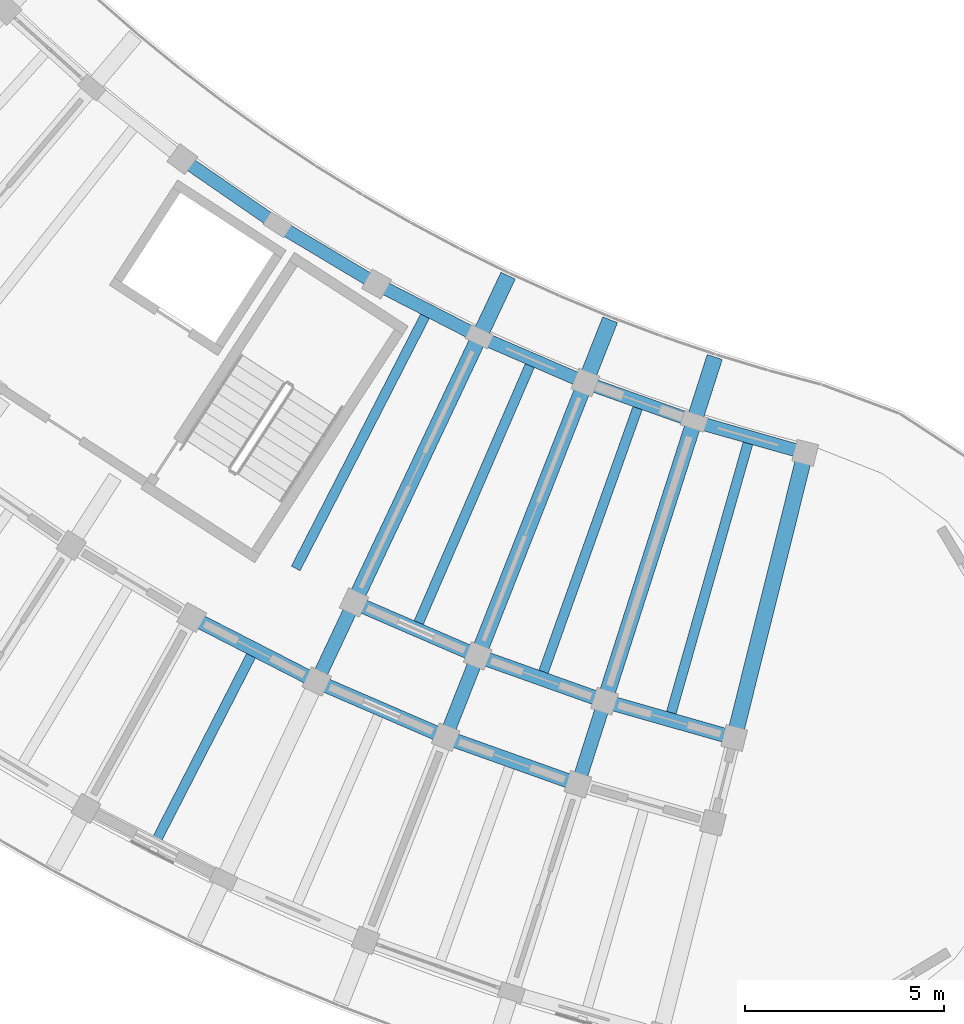
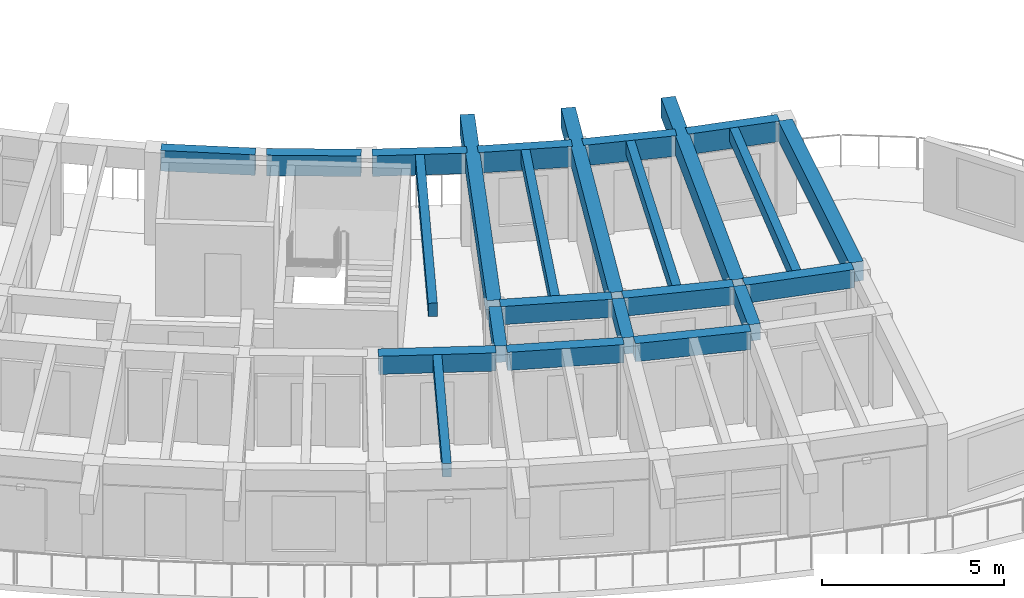
# One storey, part 6 of 81: 24 beams.
"""IFC4 building model written with IfcOpenShell, lengths in metres."""

from ifc_helpers import new_model, si_unit, direction, frame, origin, origin_2d, place, context, subcontext, project, spatial, rectangle, extrude, material, material_profile, profile_set, type_object, element, save


model = new_model("IFC4")

# Units and contexts
model_context = context("Model", 3, precision=1e-05, world=origin(), true_north=direction((0.0, 1.0)))
body_context = subcontext(model_context, "Body", "Model", "MODEL_VIEW")
ifc_project = project(units=[si_unit("LENGTHUNIT", "METRE"), si_unit("AREAUNIT", "SQUARE_METRE"), si_unit("VOLUMEUNIT", "CUBIC_METRE"), si_unit("PLANEANGLEUNIT", "RADIAN"), si_unit("MASSUNIT", "GRAM", prefix="KILO")], contexts=[model_context])

# Site, building, storey
site_placement = place(None, origin())
site = spatial("IfcSite", under=ifc_project, at=site_placement, CompositionType="ELEMENT")
building_placement = place(site_placement, origin())
building = spatial("IfcBuilding", under=site, at=building_placement, Name="Tanwirah Colonnade Gardens", CompositionType="ELEMENT")
storey_placement = place(building_placement, frame((0.0, 0.0, 18.919921875)))
storey = spatial("IfcBuildingStorey", under=building, at=storey_placement, Name="L05", CompositionType="ELEMENT", Elevation=18.919921875)

# Beams
ifc_material_1 = material(Name="Precast concrete C40/50", Category="concrete")
ifc_material_profile_1 = material_profile(ifc_material_1, rectangle(XDim=0.360107421875, YDim=0.610107421875, at=origin_2d()), Name="PC-BM 360x610")
ifc_profile_set_1 = profile_set([ifc_material_profile_1], Name="Precast concrete C40/50")
beam_type_1 = type_object("IfcBeamType", Name="BM-PC300", PredefinedType="BEAM", material=ifc_profile_set_1)
beam_1_placement = place(storey_placement, frame((38.929443359375, 17.158447265625, 2.80517578125), z_axis=(0.890025451153, -0.45591084249, 0.0), x_axis=(0.45591084249, 0.890025451153, 0.0)))
element("IfcBeam", 1, at=beam_1_placement, inside=storey, type_object=beam_type_1, Name="Block C L05 Circumferential Beam 12-R2", PredefinedType="BEAM", context=body_context, shape_type="SweptSolid", body=[
    extrude(rectangle(XDim=0.360107421875, YDim=0.610107421875, at=origin_2d()), origin(), (0.0, 0.0, 1.0), 3.237060546875),
])
beam_2_placement = place(storey_placement, frame((43.02001953125, 17.54443359375, 2.80517578125), z_axis=(0.917936292782, -0.396727819032, 0.0), x_axis=(0.396727819032, 0.917936292782, 0.0)))
element("IfcBeam", 2, at=beam_2_placement, inside=storey, type_object=beam_type_1, Name="Block C L05 Circumferential Beam 13-R1", PredefinedType="BEAM", context=body_context, shape_type="SweptSolid", body=[
    extrude(rectangle(XDim=0.360107421875, YDim=0.610107421875, at=origin_2d()), origin(), (0.0, 0.0, 1.0), 3.093017578125),
])
beam_3_placement = place(storey_placement, frame((42.08154296875, 15.5546875, 2.80517578125), z_axis=(0.917943156181, -0.396711938338, 0.0), x_axis=(0.396711938338, 0.917943156181, 0.0)))
element("IfcBeam", 3, at=beam_3_placement, inside=storey, type_object=beam_type_1, Name="Block C L05 Circumferential Beam 13-R2", PredefinedType="BEAM", context=body_context, shape_type="SweptSolid", body=[
    extrude(rectangle(XDim=0.360107421875, YDim=0.610107421875, at=origin_2d()), origin(), (0.0, 0.0, 1.0), 3.237060546875),
])
beam_4_placement = place(storey_placement, frame((46.13818359375, 16.20751953125, 2.80517578125), z_axis=(0.941911444877, -0.335861325564, 0.0), x_axis=(0.335861325564, 0.941911444877, 0.0)))
element("IfcBeam", 4, at=beam_4_placement, inside=storey, type_object=beam_type_1, Name="Block C L05 Circumferential Beam 14-R1", PredefinedType="BEAM", context=body_context, shape_type="SweptSolid", body=[
    extrude(rectangle(XDim=0.360107421875, YDim=0.610107421875, at=origin_2d()), origin(), (0.0, 0.0, 1.0), 3.093017578125),
])
beam_5_placement = place(storey_placement, frame((45.331787109375, 14.16064453125, 2.80517578125), z_axis=(0.941917534978, -0.335844245597, 0.0), x_axis=(0.335844245597, 0.941917534978, 0.0)))
element("IfcBeam", 5, at=beam_5_placement, inside=storey, type_object=beam_type_1, Name="Block C L05 Circumferential Beam 14-R2", PredefinedType="BEAM", context=body_context, shape_type="SweptSolid", body=[
    extrude(rectangle(XDim=0.360107421875, YDim=0.610107421875, at=origin_2d()), origin(), (0.0, 0.0, 1.0), 3.237060546875),
])
beam_6_placement = place(storey_placement, frame((49.337158203125, 15.0771484375, 2.80517578125), z_axis=(0.961865763464, -0.273521942585, 0.0), x_axis=(0.273521942585, 0.961865763464, 0.0)))
element("IfcBeam", 6, at=beam_6_placement, inside=storey, type_object=beam_type_1, Name="Block C L05 Circumferential Beam 15-R1", PredefinedType="BEAM", context=body_context, shape_type="SweptSolid", body=[
    extrude(rectangle(XDim=0.360107421875, YDim=0.610107421875, at=origin_2d()), origin(), (0.0, 0.0, 1.0), 3.0927734375),
])
ifc_material_profile_2 = material_profile(ifc_material_1, rectangle(XDim=0.35009765625, YDim=0.550048828125, at=origin_2d()), Name="PC-BM 350x550")
ifc_profile_set_2 = profile_set([ifc_material_profile_2], Name="Precast concrete C40/50")
beam_type_2 = type_object("IfcBeamType", Name="BM-PC350A", PredefinedType="BEAM", material=ifc_profile_set_2)
beam_7_placement = place(storey_placement, frame((42.818359375, 17.46826171875, 2.8349609375), z_axis=(-0.426483812015, -0.904495195172, 0.0), x_axis=(0.904495195172, -0.426483812015, 0.0)))
element("IfcBeam", 7, at=beam_7_placement, inside=storey, type_object=beam_type_2, Name="Block C L05 Corridor Tie Beam 13", PredefinedType="BEAM", context=body_context, shape_type="SweptSolid", body=[
    extrude(rectangle(XDim=0.35009765625, YDim=0.550048828125, at=origin_2d()), origin(), (0.0, 0.0, 1.0), 1.89990234375),
])
beam_8_placement = place(storey_placement, frame((45.94189453125, 16.1181640625, 2.8349609375), z_axis=(-0.366511033969, -0.930413704746, 0.0), x_axis=(0.930413704746, -0.366511033969, 0.0)))
element("IfcBeam", 8, at=beam_8_placement, inside=storey, type_object=beam_type_2, Name="Block C L05 Corridor Tie Beam 14", PredefinedType="BEAM", context=body_context, shape_type="SweptSolid", body=[
    extrude(rectangle(XDim=0.35009765625, YDim=0.550048828125, at=origin_2d()), origin(), (0.0, 0.0, 1.0), 1.899658203125),
])
beam_9_placement = place(storey_placement, frame((49.14697265625, 14.975341796875, 2.8349609375), z_axis=(-0.304794376797, -0.952418179096, 0.0), x_axis=(0.952418179096, -0.304794376797, 0.0)))
element("IfcBeam", 9, at=beam_9_placement, inside=storey, type_object=beam_type_2, Name="Block C L05 Corridor Tie Beam 15", PredefinedType="BEAM", context=body_context, shape_type="SweptSolid", body=[
    extrude(rectangle(XDim=0.35009765625, YDim=0.550048828125, at=origin_2d()), origin(), (0.0, 0.0, 1.0), 1.89990234375),
])
ifc_material_2 = material(Name="Precast concrete C45/55", Category="concrete")
ifc_material_profile_3 = material_profile(ifc_material_2, rectangle(XDim=0.39990234375, YDim=0.64990234375, at=origin_2d()), Name="PC-BM 400x650")
ifc_profile_set_3 = profile_set([ifc_material_profile_3], Name="Precast concrete C45/55")
beam_type_3 = type_object("IfcBeamType", Name="BM-PC400", PredefinedType="BEAM", material=ifc_profile_set_3)
for number, where, z_axis, x_axis, name in (
    (10, (42.9462890625, 17.73974609375, 2.78515625), (0.426582468098, 0.904448670689, 0.0), (-0.904448670689, 0.426582468098, 0.0), "Block C L05 Inner Radial Precast Girder 13"),
    (11, (46.052001953125, 16.3974609375, 2.78515625), (0.36648945479, 0.930422204984, 0.0), (-0.930422204984, 0.36648945479, 0.0), "Block C L05 Inner Radial Precast Girder 14"),
    (12, (49.238525390625, 15.26123046875, 2.78515625), (0.304862826508, 0.952396270999, 0.0), (-0.952396270999, 0.304862826508, 0.0), "Block C L05 Inner Radial Precast Girder 15"),
):
    element("IfcBeam", number, at=place(storey_placement, frame(where, z_axis=z_axis, x_axis=x_axis)), inside=storey, type_object=beam_type_3, Name=name, PredefinedType="BEAM", context=body_context, shape_type="SweptSolid", body=[
        extrude(rectangle(XDim=0.39990234375, YDim=0.64990234375, at=origin_2d()), origin(), (0.0, 0.0, 1.0), 8.949951171875),
    ])
beam_10_placement = place(storey_placement, frame((52.49267578125, 14.335693359375, 2.78515625), z_axis=(0.241904492141, 0.97030006528, 0.0), x_axis=(-0.97030006528, 0.241904492141, 0.0)))
element("IfcBeam", 13, at=beam_10_placement, inside=storey, type_object=beam_type_3, Name="Block C L05 Inner Radial Precast Girder 16", PredefinedType="BEAM", context=body_context, shape_type="SweptSolid", body=[
    extrude(rectangle(XDim=0.39990234375, YDim=0.64990234375, at=origin_2d()), origin(), (0.0, 0.0, 1.0), 7.10009765625),
])
ifc_material_profile_4 = material_profile(ifc_material_1, rectangle(XDim=0.25, YDim=0.449951171875, at=origin_2d()), Name="PC-JST 250x450")
ifc_profile_set_4 = profile_set([ifc_material_profile_4], Name="Precast concrete C40/50")
beam_type_4 = type_object("IfcBeamType", Name="JST-PC250", PredefinedType="JOIST", material=ifc_profile_set_4)
beam_11_placement = place(storey_placement, frame((40.302001953125, 16.287841796875, 2.885009765625), z_axis=(-0.455936851617, -0.890012127635, 0.0), x_axis=(0.890012127635, -0.455936851617, 0.0)))
element("IfcBeam", 14, at=beam_11_placement, inside=storey, type_object=beam_type_4, Name="Block C L05 Precast Floor Joist 12", PredefinedType="JOIST", context=body_context, shape_type="SweptSolid", body=[
    extrude(rectangle(XDim=0.25, YDim=0.449951171875, at=origin_2d()), origin(), (0.0, 0.0, 1.0), 5.260009765625),
])
for number, where, z_axis, x_axis, name in (
    (15, (44.678955078125, 24.83203125, 2.885009765625), (-0.455921327553, -0.890020080157, 0.0), (0.890020080157, -0.455921327553, 0.0), "Block C L05 Inner Precast Floor Joist 12"),
    (16, (47.31689453125, 23.587890625, 2.885009765625), (-0.396736454079, -0.917932560706, 0.0), (0.917932560706, -0.396736454079, 0.0), "Block C L05 Inner Precast Floor Joist 13"),
):
    element("IfcBeam", number, at=place(storey_placement, frame(where, z_axis=z_axis, x_axis=x_axis)), inside=storey, type_object=beam_type_4, Name=name, PredefinedType="JOIST", context=body_context, shape_type="SweptSolid", body=[
        extrude(rectangle(XDim=0.25, YDim=0.449951171875, at=origin_2d()), origin(), (0.0, 0.0, 1.0), 7.159912109375),
    ])
beam_12_placement = place(storey_placement, frame((50.030517578125, 22.51904296875, 2.885009765625), z_axis=(-0.335861148107, -0.941911508154, 0.0), x_axis=(0.941911508154, -0.335861148107, 0.0)))
element("IfcBeam", 17, at=beam_12_placement, inside=storey, type_object=beam_type_4, Name="Block C L05 Inner Precast Floor Joist 14", PredefinedType="JOIST", context=body_context, shape_type="SweptSolid", body=[
    extrude(rectangle(XDim=0.25, YDim=0.449951171875, at=origin_2d()), origin(), (0.0, 0.0, 1.0), 7.16015625),
])
beam_13_placement = place(storey_placement, frame((52.808349609375, 21.6298828125, 2.885009765625), z_axis=(-0.273532000762, -0.961862903204, 0.0), x_axis=(0.961862903204, -0.273532000762, 0.0)))
element("IfcBeam", 18, at=beam_13_placement, inside=storey, type_object=beam_type_4, Name="Block C L05 Inner Precast Floor Joist 15", PredefinedType="JOIST", context=body_context, shape_type="SweptSolid", body=[
    extrude(rectangle(XDim=0.25, YDim=0.449951171875, at=origin_2d()), origin(), (0.0, 0.0, 1.0), 7.159912109375),
])
ifc_material_profile_5 = material_profile(ifc_material_1, rectangle(XDim=0.330078125, YDim=0.68994140625, at=origin_2d()), Name="PC-SP 330x690")
ifc_profile_set_5 = profile_set([ifc_material_profile_5], Name="Precast concrete C40/50")
beam_type_5 = type_object("IfcBeamType", Name="SP-PC280", PredefinedType="SPANDREL", material=ifc_profile_set_5)
beam_14_placement = place(storey_placement, frame((38.68359375, 28.683349609375, 2.76513671875), z_axis=(0.822868771031, -0.568231454305, 0.0), x_axis=(0.568231454305, 0.822868771031, 0.0)))
element("IfcBeam", 19, at=beam_14_placement, inside=storey, type_object=beam_type_5, Name="Block C L05 Circumferential Beam 10-R0", PredefinedType="SPANDREL", context=body_context, shape_type="SweptSolid", body=[
    extrude(rectangle(XDim=0.330078125, YDim=0.68994140625, at=origin_2d()), origin(), (0.0, 0.0, 1.0), 2.60888671875),
])
for number, where, z_axis, x_axis, name in (
    (20, (41.08251953125, 27.038818359375, 2.76513671875), (0.858301131151, -0.513146341958, 0.0), (0.513146341958, 0.858301131151, 0.0), "Block C L05 Circumferential Beam 11-R0"),
    (21, (43.583740234375, 25.5546875, 2.76513671875), (0.890042438658, -0.455877678097, 0.0), (0.455877678097, 0.890042438658, 0.0), "Block C L05 Circumferential Beam 12-R0"),
    (22, (46.1767578125, 24.237548828125, 2.76513671875), (0.917901260915, -0.396808864833, 0.0), (0.396808864833, 0.917901260915, 0.0), "Block C L05 Circumferential Beam 13-R0"),
    (23, (48.850341796875, 23.092529296875, 2.76513671875), (0.941898499992, -0.335897626835, 0.0), (0.335897626835, 0.941898499992, 0.0), "Block C L05 Circumferential Beam 14-R0"),
):
    element("IfcBeam", number, at=place(storey_placement, frame(where, z_axis=z_axis, x_axis=x_axis)), inside=storey, type_object=beam_type_5, Name=name, PredefinedType="SPANDREL", context=body_context, shape_type="SweptSolid", body=[
        extrude(rectangle(XDim=0.330078125, YDim=0.68994140625, at=origin_2d()), origin(), (0.0, 0.0, 1.0), 2.608642578125),
    ])
beam_15_placement = place(storey_placement, frame((51.593017578125, 22.125, 2.76513671875), z_axis=(0.961858721299, -0.273546705814, 0.0), x_axis=(0.273546705814, 0.961858721299, 0.0)))
element("IfcBeam", 24, at=beam_15_placement, inside=storey, type_object=beam_type_5, Name="Block C L05 Circumferential Beam 15-R0", PredefinedType="SPANDREL", context=body_context, shape_type="SweptSolid", body=[
    extrude(rectangle(XDim=0.330078125, YDim=0.68994140625, at=origin_2d()), origin(), (0.0, 0.0, 1.0), 2.60888671875),
])

save(model, "model.ifc")
